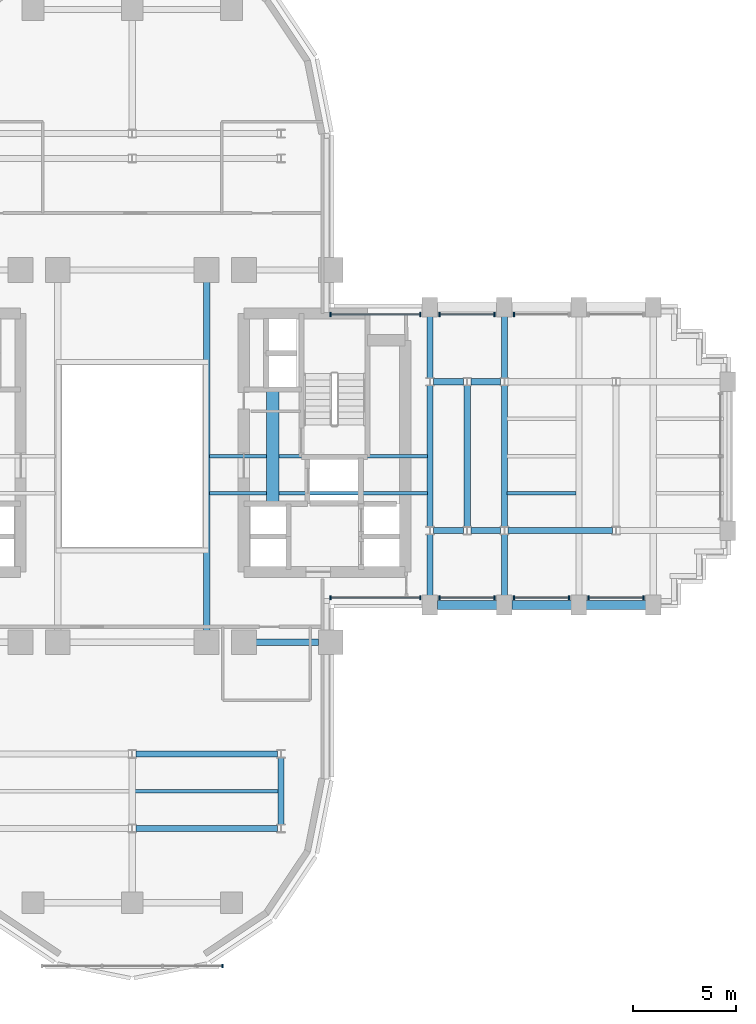
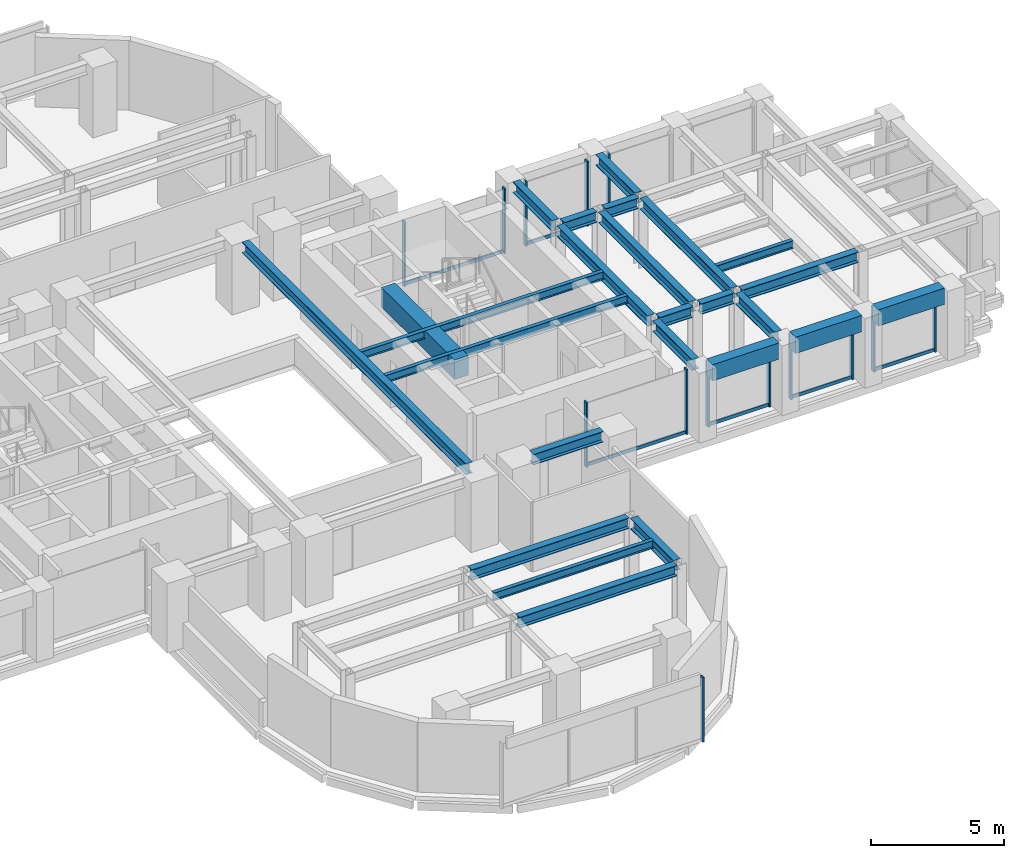
# One storey, part 5 of 16: 25 beams, 20 members, 8 elements without a shape of their own.
"""IFC4 building model written with IfcOpenShell, lengths in metres."""

from ifc_helpers import new_model, si_unit, direction, frame, origin, origin_2d, place, context, subcontext, project, spatial, rectangle, i_section, extrude, source, transform, mapped, material, material_profile, profile_set, type_object, element, aggregate, save


model = new_model("IFC4")

# Units and contexts
model_context = context("Model", 3, precision=1e-05, world=origin(), true_north=direction((0.0, 1.0)))
body_context = subcontext(model_context, "Body", "Model", "MODEL_VIEW")
ifc_project = project(units=[si_unit("LENGTHUNIT", "METRE"), si_unit("AREAUNIT", "SQUARE_METRE"), si_unit("VOLUMEUNIT", "CUBIC_METRE"), si_unit("PLANEANGLEUNIT", "RADIAN"), si_unit("MASSUNIT", "GRAM", prefix="KILO")], contexts=[model_context])

# Site, building, storey
site_placement = place(None, origin())
site = spatial("IfcSite", under=ifc_project, at=site_placement, CompositionType="ELEMENT")
building_placement = place(site_placement, origin())
building = spatial("IfcBuilding", under=site, at=building_placement, Name="Keilestroom Media Tower", CompositionType="ELEMENT")
storey_placement = place(building_placement, frame((0.0, 0.0, 61.199951171875)))
storey = spatial("IfcBuildingStorey", under=building, at=storey_placement, Name="L15", CompositionType="ELEMENT", Elevation=61.199951171875)

# Beams
ifc_material_1 = material(Name="Concrete C70/85", Category="concrete")
ifc_material_profile_1 = material_profile(ifc_material_1, rectangle(XDim=0.60009765625, YDim=0.89990234375, at=origin_2d()), Name="RC 600x900")
ifc_profile_set_1 = profile_set([ifc_material_profile_1], Name="Concrete C70/85")
beam_type_1 = type_object("IfcBeamType", Name="Core-Coupling-Lintel-Beam-RC-600x900", PredefinedType="LINTEL", material=ifc_profile_set_1)
shared_shape_1 = source(origin(), body_context, "Body", "SweptSolid", [
    extrude(rectangle(XDim=0.60009765625, YDim=0.89990234375, at=origin_2d()), origin(), (0.0, 0.0, 1.0), 5.52001953125),
])
beam_1_placement = place(storey_placement, frame((6.800048828125, -2.300048828125, 2.75), z_axis=(0.0, 1.0, 0.0), x_axis=(-1.0, 0.0, 0.0)))
element("IfcBeam", 1, at=beam_1_placement, inside=storey, type_object=beam_type_1, Name="L15 Beam CLB-1 CLB-L15-E", PredefinedType="LINTEL", context=body_context, shape_type="MappedRepresentation", body=[
    mapped(shared_shape_1, transform((0.0, 0.0, 0.0), x_axis=(1.0, 0.0, 0.0), y_axis=(0.0, 1.0, 0.0), z_axis=(0.0, 0.0, 1.0), scale=1.0)),
])
ifc_material_2 = material(Name="Precast concrete C40/50", Category="concrete")
ifc_material_profile_2 = material_profile(ifc_material_2, rectangle(XDim=0.449951171875, YDim=0.75, at=origin_2d()), Name="PC 450x750")
ifc_profile_set_2 = profile_set([ifc_material_profile_2], Name="Precast concrete C40/50")
beam_type_2 = type_object("IfcBeamType", Name="Perimeter-Spandrel-Beam-PC-450x750", PredefinedType="SPANDREL", material=ifc_profile_set_2)
shared_shape_2 = source(origin(), body_context, "Body", "SweptSolid", [
    extrude(rectangle(XDim=0.449951171875, YDim=0.75, at=origin_2d()), origin(), (0.0, 0.0, 1.0), 2.889892578125),
])
beam_2_placement = place(storey_placement, frame((21.955078125, -7.199951171875, 2.824951171875), z_axis=(1.0, 0.0, 0.0), x_axis=(0.0, 1.0, 0.0)))
element("IfcBeam", 2, at=beam_2_placement, inside=storey, type_object=beam_type_2, Name="L15 Beam SPB-1 BM-L15-EW-017", PredefinedType="SPANDREL", context=body_context, shape_type="MappedRepresentation", body=[
    mapped(shared_shape_2, transform((0.0, 0.0, 0.0), x_axis=(1.0, 0.0, 0.0), y_axis=(0.0, 1.0, 0.0), z_axis=(0.0, 0.0, 1.0), scale=1.0)),
])
shared_shape_3 = source(origin(), body_context, "Body", "SweptSolid", [
    extrude(rectangle(XDim=0.449951171875, YDim=0.75, at=origin_2d()), origin(), (0.0, 0.0, 1.0), 2.89013671875),
])
for number, where, z_axis, x_axis, name in (
    (3, (14.7548828125, -7.199951171875, 2.824951171875), (1.0, 0.0, 0.0), (0.0, 1.0, 0.0), "L15 Beam SPB-1 BM-L15-EW-015"),
    (4, (18.35498046875, -7.199951171875, 2.824951171875), (1.0, 0.0, 0.0), (0.0, 1.0, 0.0), "L15 Beam SPB-1 BM-L15-EW-016"),
):
    element("IfcBeam", number, at=place(storey_placement, frame(where, z_axis=z_axis, x_axis=x_axis)), inside=storey, type_object=beam_type_2, Name=name, PredefinedType="SPANDREL", context=body_context, shape_type="MappedRepresentation", body=[
        mapped(shared_shape_3, transform((0.0, 0.0, 0.0), x_axis=(1.0, 0.0, 0.0), y_axis=(0.0, 1.0, 0.0), z_axis=(0.0, 0.0, 1.0), scale=1.0)),
    ])
ifc_material_3 = material(Name="Steel S355", Category="steel")
ifc_material_profile_3 = material_profile(ifc_material_3, i_section(OverallWidth=0.300048828125, OverallDepth=0.5, WebThickness=0.012451171875, FlangeThickness=0.028076171875, at=origin_2d()), Name="HEB 500")
ifc_profile_set_3 = profile_set([ifc_material_profile_3], Name="Steel S355")
beam_type_3 = type_object("IfcBeamType", Name="Primary-Structural-Girder-HEB-500", PredefinedType="BEAM", material=ifc_profile_set_3)
shared_shape_4 = source(origin(), body_context, "Body", "SweptSolid", [
    extrude(i_section(OverallWidth=0.300048828125, OverallDepth=0.5, WebThickness=0.012451171875, FlangeThickness=0.028076171875, at=origin_2d()), origin(), (0.0, 0.0, 1.0), 6.8330078125),
])
for number, where, z_axis, x_axis, name in (
    (5, (14.39990234375, -3.41650390625, 2.949951171875), (0.0, 1.0, 0.0), (-1.0, 0.0, 0.0), "L15 Beam BG-6 BM-L15-NS-077"),
    (6, (16.199951171875, -3.41650390625, 2.949951171875), (0.0, 1.0, 0.0), (-1.0, 0.0, 0.0), "L15 Beam BG-6 BM-L15-NS-079"),
    (7, (18.0, -3.41650390625, 2.949951171875), (0.0, 1.0, 0.0), (-1.0, 0.0, 0.0), "L15 Beam BG-6 BM-L15-NS-081"),
):
    element("IfcBeam", number, at=place(storey_placement, frame(where, z_axis=z_axis, x_axis=x_axis)), inside=storey, type_object=beam_type_3, Name=name, PredefinedType="BEAM", context=body_context, shape_type="MappedRepresentation", body=[
        mapped(shared_shape_4, transform((0.0, 0.0, 0.0), x_axis=(1.0, 0.0, 0.0), y_axis=(0.0, 1.0, 0.0), z_axis=(0.0, 0.0, 1.0), scale=1.0)),
    ])
shared_shape_5 = source(origin(), body_context, "Body", "SweptSolid", [
    extrude(i_section(OverallWidth=0.300048828125, OverallDepth=0.5, WebThickness=0.012451171875, FlangeThickness=0.028076171875, at=origin_2d()), origin(), (0.0, 0.0, 1.0), 2.961669921875),
])
for number, where, z_axis, x_axis, name in (
    (8, (14.39990234375, -6.7451171875, 2.949951171875), (0.0, 1.0, 0.0), (-1.0, 0.0, 0.0), "L15 Beam BG-6 BM-L15-NS-076"),
    (9, (14.39990234375, 3.783447265625, 2.949951171875), (0.0, 1.0, 0.0), (-1.0, 0.0, 0.0), "L15 Beam BG-6 BM-L15-NS-078"),
    (10, (18.0, -6.7451171875, 2.949951171875), (0.0, 1.0, 0.0), (-1.0, 0.0, 0.0), "L15 Beam BG-6 BM-L15-NS-080"),
    (11, (18.0, 3.783447265625, 2.949951171875), (0.0, 1.0, 0.0), (-1.0, 0.0, 0.0), "L15 Beam BG-6 BM-L15-NS-082"),
):
    element("IfcBeam", number, at=place(storey_placement, frame(where, z_axis=z_axis, x_axis=x_axis)), inside=storey, type_object=beam_type_3, Name=name, PredefinedType="BEAM", context=body_context, shape_type="MappedRepresentation", body=[
        mapped(shared_shape_5, transform((0.0, 0.0, 0.0), x_axis=(1.0, 0.0, 0.0), y_axis=(0.0, 1.0, 0.0), z_axis=(0.0, 0.0, 1.0), scale=1.0)),
    ])
shared_shape_6 = source(origin(), body_context, "Body", "SweptSolid", [
    extrude(i_section(OverallWidth=0.300048828125, OverallDepth=0.5, WebThickness=0.012451171875, FlangeThickness=0.028076171875, at=origin_2d()), origin(), (0.0, 0.0, 1.0), 3.23291015625),
])
beam_3_placement = place(storey_placement, frame((7.199951171875, -17.81640625, 2.949951171875), z_axis=(0.0, 1.0, 0.0), x_axis=(-1.0, 0.0, 0.0)))
element("IfcBeam", 12, at=beam_3_placement, inside=storey, type_object=beam_type_3, Name="L15 Beam BG-6 BM-L15-NS-073", PredefinedType="BEAM", context=body_context, shape_type="MappedRepresentation", body=[
    mapped(shared_shape_6, transform((0.0, 0.0, 0.0), x_axis=(1.0, 0.0, 0.0), y_axis=(0.0, 1.0, 0.0), z_axis=(0.0, 0.0, 1.0), scale=1.0)),
])
shared_shape_7 = source(origin(), body_context, "Body", "SweptSolid", [
    extrude(i_section(OverallWidth=0.300048828125, OverallDepth=0.5, WebThickness=0.012451171875, FlangeThickness=0.028076171875, at=origin_2d()), origin(), (0.0, 0.0, 1.0), 16.83984375),
])
beam_4_placement = place(storey_placement, frame((3.60009765625, -8.419921875, 2.949951171875), z_axis=(0.0, 1.0, 0.0), x_axis=(-1.0, 0.0, 0.0)))
element("IfcBeam", 13, at=beam_4_placement, inside=storey, type_object=beam_type_3, Name="L15 Beam BG-6 BM-L15-NS-071", PredefinedType="BEAM", context=body_context, shape_type="MappedRepresentation", body=[
    mapped(shared_shape_7, transform((0.0, 0.0, 0.0), x_axis=(1.0, 0.0, 0.0), y_axis=(0.0, 1.0, 0.0), z_axis=(0.0, 0.0, 1.0), scale=1.0)),
])
ifc_material_profile_4 = material_profile(ifc_material_3, i_section(OverallWidth=0.300048828125, OverallDepth=0.489990234375, WebThickness=0.011962890625, FlangeThickness=0.02294921875, at=origin_2d()), Name="HEA 500")
ifc_profile_set_4 = profile_set([ifc_material_profile_4], Name="Steel S355")
beam_type_4 = type_object("IfcBeamType", Name="Primary-Structural-Girder-HEA-500", PredefinedType="BEAM", material=ifc_profile_set_4)
shared_shape_8 = source(origin(), body_context, "Body", "SweptSolid", [
    extrude(i_section(OverallWidth=0.300048828125, OverallDepth=0.489990234375, WebThickness=0.011962890625, FlangeThickness=0.02294921875, at=origin_2d()), origin(), (0.0, 0.0, 1.0), 6.836181640625),
])
for number, where, z_axis, x_axis, name in (
    (14, (0.181884765625, -18.0, 2.955078125), (1.0, 0.0, 0.0), (0.0, 1.0, 0.0), "L15 Beam BG-10 BM-L15-EW-004"),
    (15, (0.181884765625, -14.39990234375, 2.955078125), (1.0, 0.0, 0.0), (0.0, 1.0, 0.0), "L15 Beam BG-10 BM-L15-EW-006"),
):
    element("IfcBeam", number, at=place(storey_placement, frame(where, z_axis=z_axis, x_axis=x_axis)), inside=storey, type_object=beam_type_4, Name=name, PredefinedType="BEAM", context=body_context, shape_type="MappedRepresentation", body=[
        mapped(shared_shape_8, transform((0.0, 0.0, 0.0), x_axis=(1.0, 0.0, 0.0), y_axis=(0.0, 1.0, 0.0), z_axis=(0.0, 0.0, 1.0), scale=1.0)),
    ])
shared_shape_9 = source(origin(), body_context, "Body", "SweptSolid", [
    extrude(i_section(OverallWidth=0.300048828125, OverallDepth=0.489990234375, WebThickness=0.011962890625, FlangeThickness=0.02294921875, at=origin_2d()), origin(), (0.0, 0.0, 1.0), 3.0400390625),
])
beam_5_placement = place(storey_placement, frame((5.97998046875, -9.0, 2.955078125), z_axis=(1.0, 0.0, 0.0), x_axis=(0.0, 1.0, 0.0)))
element("IfcBeam", 16, at=beam_5_placement, inside=storey, type_object=beam_type_4, Name="L15 Beam BG-10 BM-L15-EW-011", PredefinedType="BEAM", context=body_context, shape_type="MappedRepresentation", body=[
    mapped(shared_shape_9, transform((0.0, 0.0, 0.0), x_axis=(1.0, 0.0, 0.0), y_axis=(0.0, 1.0, 0.0), z_axis=(0.0, 0.0, 1.0), scale=1.0)),
])
shared_shape_10 = source(origin(), body_context, "Body", "SweptSolid", [
    extrude(i_section(OverallWidth=0.300048828125, OverallDepth=0.489990234375, WebThickness=0.011962890625, FlangeThickness=0.02294921875, at=origin_2d()), origin(), (0.0, 0.0, 1.0), 5.0361328125),
])
beam_6_placement = place(storey_placement, frame((18.181884765625, -3.60009765625, 2.955078125), z_axis=(1.0, 0.0, 0.0), x_axis=(0.0, 1.0, 0.0)))
element("IfcBeam", 17, at=beam_6_placement, inside=storey, type_object=beam_type_4, Name="L15 Beam BG-10 BM-L15-EW-024", PredefinedType="BEAM", context=body_context, shape_type="MappedRepresentation", body=[
    mapped(shared_shape_10, transform((0.0, 0.0, 0.0), x_axis=(1.0, 0.0, 0.0), y_axis=(0.0, 1.0, 0.0), z_axis=(0.0, 0.0, 1.0), scale=1.0)),
])
shared_shape_11 = source(origin(), body_context, "Body", "SweptSolid", [
    extrude(i_section(OverallWidth=0.300048828125, OverallDepth=0.489990234375, WebThickness=0.011962890625, FlangeThickness=0.02294921875, at=origin_2d()), origin(), (0.0, 0.0, 1.0), 1.43603515625),
])
for number, where, z_axis, x_axis, name in (
    (18, (14.58203125, -3.60009765625, 2.955078125), (1.0, 0.0, 0.0), (0.0, 1.0, 0.0), "L15 Beam BG-10 BM-L15-EW-022"),
    (19, (16.382080078125, -3.60009765625, 2.955078125), (1.0, 0.0, 0.0), (0.0, 1.0, 0.0), "L15 Beam BG-10 BM-L15-EW-023"),
    (20, (14.58203125, 3.60009765625, 2.955078125), (1.0, 0.0, 0.0), (0.0, 1.0, 0.0), "L15 Beam BG-10 BM-L15-EW-030"),
    (21, (16.382080078125, 3.60009765625, 2.955078125), (1.0, 0.0, 0.0), (0.0, 1.0, 0.0), "L15 Beam BG-10 BM-L15-EW-031"),
):
    element("IfcBeam", number, at=place(storey_placement, frame(where, z_axis=z_axis, x_axis=x_axis)), inside=storey, type_object=beam_type_4, Name=name, PredefinedType="BEAM", context=body_context, shape_type="MappedRepresentation", body=[
        mapped(shared_shape_11, transform((0.0, 0.0, 0.0), x_axis=(1.0, 0.0, 0.0), y_axis=(0.0, 1.0, 0.0), z_axis=(0.0, 0.0, 1.0), scale=1.0)),
    ])
ifc_material_profile_5 = material_profile(ifc_material_3, i_section(OverallWidth=0.169921875, OverallDepth=0.360107421875, WebThickness=0.008056640625, FlangeThickness=0.0126953125, at=origin_2d()), Name="IPE 360")
ifc_profile_set_5 = profile_set([ifc_material_profile_5], Name="Steel S355")
beam_type_5 = type_object("IfcBeamType", Name="Secondary-Floor-Joist-IPE-360", PredefinedType="JOIST", material=ifc_profile_set_5)
shared_shape_12 = source(origin(), body_context, "Body", "SweptSolid", [
    extrude(i_section(OverallWidth=0.169921875, OverallDepth=0.360107421875, WebThickness=0.008056640625, FlangeThickness=0.0126953125, at=origin_2d()), origin(), (0.0, 0.0, 1.0), 6.940185546875),
])
beam_7_placement = place(storey_placement, frame((0.1298828125, -16.199951171875, 3.02001953125), z_axis=(1.0, 0.0, 0.0), x_axis=(0.0, 1.0, 0.0)))
element("IfcBeam", 22, at=beam_7_placement, inside=storey, type_object=beam_type_5, Name="L15 Beam BJ-5 JST-L15-088", PredefinedType="JOIST", context=body_context, shape_type="MappedRepresentation", body=[
    mapped(shared_shape_12, transform((0.0, 0.0, 0.0), x_axis=(1.0, 0.0, 0.0), y_axis=(0.0, 1.0, 0.0), z_axis=(0.0, 0.0, 1.0), scale=1.0)),
])
shared_shape_13 = source(origin(), body_context, "Body", "SweptSolid", [
    extrude(i_section(OverallWidth=0.169921875, OverallDepth=0.360107421875, WebThickness=0.008056640625, FlangeThickness=0.0126953125, at=origin_2d()), origin(), (0.0, 0.0, 1.0), 3.340087890625),
])
beam_8_placement = place(storey_placement, frame((18.1298828125, -1.800048828125, 3.02001953125), z_axis=(1.0, 0.0, 0.0), x_axis=(0.0, 1.0, 0.0)))
element("IfcBeam", 23, at=beam_8_placement, inside=storey, type_object=beam_type_5, Name="L15 Beam BJ-5 JST-L15-094", PredefinedType="JOIST", context=body_context, shape_type="MappedRepresentation", body=[
    mapped(shared_shape_13, transform((0.0, 0.0, 0.0), x_axis=(1.0, 0.0, 0.0), y_axis=(0.0, 1.0, 0.0), z_axis=(0.0, 0.0, 1.0), scale=1.0)),
])
shared_shape_14 = source(origin(), body_context, "Body", "SweptSolid", [
    extrude(i_section(OverallWidth=0.169921875, OverallDepth=0.360107421875, WebThickness=0.008056640625, FlangeThickness=0.0126953125, at=origin_2d()), origin(), (0.0, 0.0, 1.0), 10.5400390625),
])
for number, where, z_axis, x_axis, name in (
    (24, (3.72998046875, -1.800048828125, 3.02001953125), (1.0, 0.0, 0.0), (0.0, 1.0, 0.0), "L15 Beam BJ-5 JST-L15-093"),
    (25, (3.72998046875, 0.0, 3.02001953125), (1.0, 0.0, 0.0), (0.0, 1.0, 0.0), "L15 Beam BJ-5 JST-L15-100"),
):
    element("IfcBeam", number, at=place(storey_placement, frame(where, z_axis=z_axis, x_axis=x_axis)), inside=storey, type_object=beam_type_5, Name=name, PredefinedType="JOIST", context=body_context, shape_type="MappedRepresentation", body=[
        mapped(shared_shape_14, transform((0.0, 0.0, 0.0), x_axis=(1.0, 0.0, 0.0), y_axis=(0.0, 1.0, 0.0), z_axis=(0.0, 0.0, 1.0), scale=1.0)),
    ])

# Curtain wall, members
ifc_material_4 = material(Name="Anodised Aluminium Alloy", Category="aluminium")
curtain_wall_type_1 = type_object("IfcCurtainWallType", Name="Unitised-Curtain-Wall-CW-1", PredefinedType="NOTDEFINED", material=ifc_material_4)
curtain_wall_1_placement = place(storey_placement, origin())
curtain_wall_1 = element("IfcCurtainWall", 26, at=curtain_wall_1_placement, inside=storey, type_object=curtain_wall_type_1, Name="L15 Curtain Wall CW-1 CW-L15-NE-1", PredefinedType="NOTDEFINED")
ifc_material_profile_6 = material_profile(ifc_material_4, rectangle(XDim=0.070068359375, YDim=0.199951171875, at=origin_2d()), Name="ALU MULLION 70x200")
ifc_profile_set_6 = profile_set([ifc_material_profile_6], Name="Anodised Aluminium Alloy")
member_type_1 = type_object("IfcMemberType", Name="Curtain-Wall-Mullion-CW-1", PredefinedType="MULLION", material=ifc_profile_set_6)
shared_shape_15 = source(origin(), body_context, "Body", "SweptSolid", [
    extrude(rectangle(XDim=0.070068359375, YDim=0.199951171875, at=origin_2d()), origin(), (0.0, 0.0, 1.0), 2.97998046875),
])
member_1_placement = place(storey_placement, frame((9.5849609375, 6.85009765625, 0.0), z_axis=(0.0, 0.0, 1.0), x_axis=(1.0, 0.0, 0.0)))
member_1 = element("IfcMember", 27, at=member_1_placement, type_object=member_type_1, Name="CW-1 Mullion 00", PredefinedType="MULLION", context=body_context, shape_type="MappedRepresentation", body=[
    mapped(shared_shape_15, transform((0.0, 0.0, 0.0), x_axis=(1.0, 0.0, 0.0), y_axis=(0.0, 1.0, 0.0), z_axis=(0.0, 0.0, 1.0), scale=1.0)),
])
member_2_placement = place(storey_placement, frame((13.929931640625, 6.85009765625, 0.0), z_axis=(0.0, 0.0, 1.0), x_axis=(1.0, 0.0, 0.0)))
member_2 = element("IfcMember", 28, at=member_2_placement, type_object=member_type_1, Name="CW-1 Mullion 01", PredefinedType="MULLION", context=body_context, shape_type="MappedRepresentation", body=[
    mapped(shared_shape_15, transform((0.0, 0.0, 0.0), x_axis=(1.0, 0.0, 0.0), y_axis=(0.0, 1.0, 0.0), z_axis=(0.0, 0.0, 1.0), scale=1.0)),
])

curtain_wall_2_placement = place(storey_placement, origin())
curtain_wall_2 = element("IfcCurtainWall", 29, at=curtain_wall_2_placement, inside=storey, type_object=curtain_wall_type_1, Name="L15 Curtain Wall CW-1 CW-L15-NE-2", PredefinedType="NOTDEFINED")
member_3_placement = place(storey_placement, frame((14.8701171875, 6.85009765625, 0.0), z_axis=(0.0, 0.0, 1.0), x_axis=(1.0, 0.0, 0.0)))
member_3 = element("IfcMember", 30, at=member_3_placement, type_object=member_type_1, Name="CW-1 Mullion 00", PredefinedType="MULLION", context=body_context, shape_type="MappedRepresentation", body=[
    mapped(shared_shape_15, transform((0.0, 0.0, 0.0), x_axis=(1.0, 0.0, 0.0), y_axis=(0.0, 1.0, 0.0), z_axis=(0.0, 0.0, 1.0), scale=1.0)),
])
member_4_placement = place(storey_placement, frame((17.530029296875, 6.85009765625, 0.0), z_axis=(0.0, 0.0, 1.0), x_axis=(1.0, 0.0, 0.0)))
member_4 = element("IfcMember", 31, at=member_4_placement, type_object=member_type_1, Name="CW-1 Mullion 01", PredefinedType="MULLION", context=body_context, shape_type="MappedRepresentation", body=[
    mapped(shared_shape_15, transform((0.0, 0.0, 0.0), x_axis=(1.0, 0.0, 0.0), y_axis=(0.0, 1.0, 0.0), z_axis=(0.0, 0.0, 1.0), scale=1.0)),
])

# Curtain wall, member
curtain_wall_3_placement = place(storey_placement, origin())
curtain_wall_3 = element("IfcCurtainWall", 32, at=curtain_wall_3_placement, inside=storey, type_object=curtain_wall_type_1, Name="L15 Curtain Wall CW-1 CW-L15-NE-3", PredefinedType="NOTDEFINED")
member_5_placement = place(storey_placement, frame((18.469970703125, 6.85009765625, 0.0), z_axis=(0.0, 0.0, 1.0), x_axis=(1.0, 0.0, 0.0)))
member_5 = element("IfcMember", 33, at=member_5_placement, type_object=member_type_1, Name="CW-1 Mullion 00", PredefinedType="MULLION", context=body_context, shape_type="MappedRepresentation", body=[
    mapped(shared_shape_15, transform((0.0, 0.0, 0.0), x_axis=(1.0, 0.0, 0.0), y_axis=(0.0, 1.0, 0.0), z_axis=(0.0, 0.0, 1.0), scale=1.0)),
])
aggregate(curtain_wall_3, [member_5])

# Curtain wall, members
curtain_wall_4_placement = place(storey_placement, origin())
curtain_wall_4 = element("IfcCurtainWall", 34, at=curtain_wall_4_placement, inside=storey, type_object=curtain_wall_type_1, Name="L15 Curtain Wall CW-1 CW-L15-SE-1", PredefinedType="NOTDEFINED")
member_6_placement = place(storey_placement, frame((9.5849609375, -6.85009765625, 0.0), z_axis=(0.0, 0.0, 1.0), x_axis=(1.0, 0.0, 0.0)))
member_6 = element("IfcMember", 35, at=member_6_placement, type_object=member_type_1, Name="CW-1 Mullion 00", PredefinedType="MULLION", context=body_context, shape_type="MappedRepresentation", body=[
    mapped(shared_shape_15, transform((0.0, 0.0, 0.0), x_axis=(1.0, 0.0, 0.0), y_axis=(0.0, 1.0, 0.0), z_axis=(0.0, 0.0, 1.0), scale=1.0)),
])
member_7_placement = place(storey_placement, frame((13.929931640625, -6.85009765625, 0.0), z_axis=(0.0, 0.0, 1.0), x_axis=(1.0, 0.0, 0.0)))
member_7 = element("IfcMember", 36, at=member_7_placement, type_object=member_type_1, Name="CW-1 Mullion 01", PredefinedType="MULLION", context=body_context, shape_type="MappedRepresentation", body=[
    mapped(shared_shape_15, transform((0.0, 0.0, 0.0), x_axis=(1.0, 0.0, 0.0), y_axis=(0.0, 1.0, 0.0), z_axis=(0.0, 0.0, 1.0), scale=1.0)),
])

curtain_wall_5_placement = place(storey_placement, origin())
curtain_wall_5 = element("IfcCurtainWall", 37, at=curtain_wall_5_placement, inside=storey, type_object=curtain_wall_type_1, Name="L15 Curtain Wall CW-1 CW-L15-SE-2", PredefinedType="NOTDEFINED")
member_8_placement = place(storey_placement, frame((14.8701171875, -6.85009765625, 0.0), z_axis=(0.0, 0.0, 1.0), x_axis=(1.0, 0.0, 0.0)))
member_8 = element("IfcMember", 38, at=member_8_placement, type_object=member_type_1, Name="CW-1 Mullion 00", PredefinedType="MULLION", context=body_context, shape_type="MappedRepresentation", body=[
    mapped(shared_shape_15, transform((0.0, 0.0, 0.0), x_axis=(1.0, 0.0, 0.0), y_axis=(0.0, 1.0, 0.0), z_axis=(0.0, 0.0, 1.0), scale=1.0)),
])
member_9_placement = place(storey_placement, frame((17.530029296875, -6.85009765625, 0.0), z_axis=(0.0, 0.0, 1.0), x_axis=(1.0, 0.0, 0.0)))
member_9 = element("IfcMember", 39, at=member_9_placement, type_object=member_type_1, Name="CW-1 Mullion 01", PredefinedType="MULLION", context=body_context, shape_type="MappedRepresentation", body=[
    mapped(shared_shape_15, transform((0.0, 0.0, 0.0), x_axis=(1.0, 0.0, 0.0), y_axis=(0.0, 1.0, 0.0), z_axis=(0.0, 0.0, 1.0), scale=1.0)),
])

curtain_wall_6_placement = place(storey_placement, origin())
curtain_wall_6 = element("IfcCurtainWall", 40, at=curtain_wall_6_placement, inside=storey, type_object=curtain_wall_type_1, Name="L15 Curtain Wall CW-1 CW-L15-SE-3", PredefinedType="NOTDEFINED")
member_10_placement = place(storey_placement, frame((18.469970703125, -6.85009765625, 0.0), z_axis=(0.0, 0.0, 1.0), x_axis=(1.0, 0.0, 0.0)))
member_10 = element("IfcMember", 41, at=member_10_placement, type_object=member_type_1, Name="CW-1 Mullion 00", PredefinedType="MULLION", context=body_context, shape_type="MappedRepresentation", body=[
    mapped(shared_shape_15, transform((0.0, 0.0, 0.0), x_axis=(1.0, 0.0, 0.0), y_axis=(0.0, 1.0, 0.0), z_axis=(0.0, 0.0, 1.0), scale=1.0)),
])
member_11_placement = place(storey_placement, frame((21.1298828125, -6.85009765625, 0.0), z_axis=(0.0, 0.0, 1.0), x_axis=(1.0, 0.0, 0.0)))
member_11 = element("IfcMember", 42, at=member_11_placement, type_object=member_type_1, Name="CW-1 Mullion 01", PredefinedType="MULLION", context=body_context, shape_type="MappedRepresentation", body=[
    mapped(shared_shape_15, transform((0.0, 0.0, 0.0), x_axis=(1.0, 0.0, 0.0), y_axis=(0.0, 1.0, 0.0), z_axis=(0.0, 0.0, 1.0), scale=1.0)),
])

curtain_wall_7_placement = place(storey_placement, origin())
curtain_wall_7 = element("IfcCurtainWall", 43, at=curtain_wall_7_placement, inside=storey, type_object=curtain_wall_type_1, Name="L15 Curtain Wall CW-1 CW-L15-SE-4", PredefinedType="NOTDEFINED")
member_12_placement = place(storey_placement, frame((22.070068359375, -6.85009765625, 0.0), z_axis=(0.0, 0.0, 1.0), x_axis=(1.0, 0.0, 0.0)))
member_12 = element("IfcMember", 44, at=member_12_placement, type_object=member_type_1, Name="CW-1 Mullion 00", PredefinedType="MULLION", context=body_context, shape_type="MappedRepresentation", body=[
    mapped(shared_shape_15, transform((0.0, 0.0, 0.0), x_axis=(1.0, 0.0, 0.0), y_axis=(0.0, 1.0, 0.0), z_axis=(0.0, 0.0, 1.0), scale=1.0)),
])
member_13_placement = place(storey_placement, frame((24.72998046875, -6.85009765625, 0.0), z_axis=(0.0, 0.0, 1.0), x_axis=(1.0, 0.0, 0.0)))
member_13 = element("IfcMember", 45, at=member_13_placement, type_object=member_type_1, Name="CW-1 Mullion 01", PredefinedType="MULLION", context=body_context, shape_type="MappedRepresentation", body=[
    mapped(shared_shape_15, transform((0.0, 0.0, 0.0), x_axis=(1.0, 0.0, 0.0), y_axis=(0.0, 1.0, 0.0), z_axis=(0.0, 0.0, 1.0), scale=1.0)),
])

# Member
ifc_material_profile_7 = material_profile(ifc_material_4, rectangle(XDim=0.06494140625, YDim=0.14990234375, at=origin_2d()), Name="ALU TRANSOM 65x150")
ifc_profile_set_7 = profile_set([ifc_material_profile_7], Name="Anodised Aluminium Alloy")
member_type_2 = type_object("IfcMemberType", Name="Curtain-Wall-Transom-CW-1", PredefinedType="USERDEFINED", material=ifc_profile_set_7)
shared_shape_16 = source(origin(), body_context, "Body", "SweptSolid", [
    extrude(rectangle(XDim=0.06494140625, YDim=0.14990234375, at=origin_2d()), origin(), (0.0, 0.0, 1.0), 2.593994140625),
])
member_14_placement = place(storey_placement, frame((14.903076171875, 6.85009765625, 0.074951171875), z_axis=(1.0, 0.0, 0.0), x_axis=(0.0, 1.0, 0.0)))
member_14 = element("IfcMember", 46, at=member_14_placement, type_object=member_type_2, Name="CW-1 Transom 00.1", ObjectType="TRANSOM", PredefinedType="USERDEFINED", context=body_context, shape_type="MappedRepresentation", body=[
    mapped(shared_shape_16, transform((0.0, 0.0, 0.0), x_axis=(1.0, 0.0, 0.0), y_axis=(0.0, 1.0, 0.0), z_axis=(0.0, 0.0, 1.0), scale=1.0)),
])

aggregate(curtain_wall_2, [member_3, member_4, member_14])

member_15_placement = place(storey_placement, frame((14.903076171875, -6.85009765625, 0.074951171875), z_axis=(1.0, 0.0, 0.0), x_axis=(0.0, 1.0, 0.0)))
member_15 = element("IfcMember", 47, at=member_15_placement, type_object=member_type_2, Name="CW-1 Transom 00.1", ObjectType="TRANSOM", PredefinedType="USERDEFINED", context=body_context, shape_type="MappedRepresentation", body=[
    mapped(shared_shape_16, transform((0.0, 0.0, 0.0), x_axis=(1.0, 0.0, 0.0), y_axis=(0.0, 1.0, 0.0), z_axis=(0.0, 0.0, 1.0), scale=1.0)),
])

aggregate(curtain_wall_5, [member_8, member_9, member_15])

member_16_placement = place(storey_placement, frame((18.5029296875, -6.85009765625, 0.074951171875), z_axis=(1.0, 0.0, 0.0), x_axis=(0.0, 1.0, 0.0)))
member_16 = element("IfcMember", 48, at=member_16_placement, type_object=member_type_2, Name="CW-1 Transom 00.1", ObjectType="TRANSOM", PredefinedType="USERDEFINED", context=body_context, shape_type="MappedRepresentation", body=[
    mapped(shared_shape_16, transform((0.0, 0.0, 0.0), x_axis=(1.0, 0.0, 0.0), y_axis=(0.0, 1.0, 0.0), z_axis=(0.0, 0.0, 1.0), scale=1.0)),
])

aggregate(curtain_wall_6, [member_10, member_11, member_16])

member_17_placement = place(storey_placement, frame((22.10302734375, -6.85009765625, 0.074951171875), z_axis=(1.0, 0.0, 0.0), x_axis=(0.0, 1.0, 0.0)))
member_17 = element("IfcMember", 49, at=member_17_placement, type_object=member_type_2, Name="CW-1 Transom 00.1", ObjectType="TRANSOM", PredefinedType="USERDEFINED", context=body_context, shape_type="MappedRepresentation", body=[
    mapped(shared_shape_16, transform((0.0, 0.0, 0.0), x_axis=(1.0, 0.0, 0.0), y_axis=(0.0, 1.0, 0.0), z_axis=(0.0, 0.0, 1.0), scale=1.0)),
])

aggregate(curtain_wall_7, [member_12, member_13, member_17])

shared_shape_17 = source(origin(), body_context, "Body", "SweptSolid", [
    extrude(rectangle(XDim=0.06494140625, YDim=0.14990234375, at=origin_2d()), origin(), (0.0, 0.0, 1.0), 4.279052734375),
])
member_18_placement = place(storey_placement, frame((9.617919921875, 6.85009765625, 0.074951171875), z_axis=(1.0, 0.0, 0.0), x_axis=(0.0, 1.0, 0.0)))
member_18 = element("IfcMember", 50, at=member_18_placement, type_object=member_type_2, Name="CW-1 Transom 00.1", ObjectType="TRANSOM", PredefinedType="USERDEFINED", context=body_context, shape_type="MappedRepresentation", body=[
    mapped(shared_shape_17, transform((0.0, 0.0, 0.0), x_axis=(1.0, 0.0, 0.0), y_axis=(0.0, 1.0, 0.0), z_axis=(0.0, 0.0, 1.0), scale=1.0)),
])

aggregate(curtain_wall_1, [member_1, member_2, member_18])

member_19_placement = place(storey_placement, frame((9.617919921875, -6.85009765625, 0.074951171875), z_axis=(1.0, 0.0, 0.0), x_axis=(0.0, 1.0, 0.0)))
member_19 = element("IfcMember", 51, at=member_19_placement, type_object=member_type_2, Name="CW-1 Transom 00.1", ObjectType="TRANSOM", PredefinedType="USERDEFINED", context=body_context, shape_type="MappedRepresentation", body=[
    mapped(shared_shape_17, transform((0.0, 0.0, 0.0), x_axis=(1.0, 0.0, 0.0), y_axis=(0.0, 1.0, 0.0), z_axis=(0.0, 0.0, 1.0), scale=1.0)),
])

aggregate(curtain_wall_4, [member_6, member_7, member_19])

# Curtain wall, member
curtain_wall_type_2 = type_object("IfcCurtainWallType", Name="Unitised-Curtain-Wall-CW-6", PredefinedType="NOTDEFINED", material=ifc_material_4)
curtain_wall_8_placement = place(storey_placement, origin())
curtain_wall_8 = element("IfcCurtainWall", 52, at=curtain_wall_8_placement, inside=storey, type_object=curtain_wall_type_2, Name="L15 Curtain Wall CW-6 CW-L15-LS-1", PredefinedType="NOTDEFINED")
ifc_material_profile_8 = material_profile(ifc_material_4, rectangle(XDim=0.06494140625, YDim=0.179931640625, at=origin_2d()), Name="ALU MULLION 65x180")
ifc_profile_set_8 = profile_set([ifc_material_profile_8], Name="Anodised Aluminium Alloy")
member_type_3 = type_object("IfcMemberType", Name="Curtain-Wall-Mullion-CW-6", PredefinedType="MULLION", material=ifc_profile_set_8)
shared_shape_18 = source(origin(), body_context, "Body", "SweptSolid", [
    extrude(rectangle(XDim=0.06494140625, YDim=0.179931640625, at=origin_2d()), origin(), (0.0, 0.0, 1.0), 2.97998046875),
])
member_20_placement = place(storey_placement, frame((4.367431640625, -24.64990234375, 0.0), z_axis=(0.0, 0.0, 1.0), x_axis=(1.0, 0.0, 0.0)))
member_20 = element("IfcMember", 53, at=member_20_placement, type_object=member_type_3, Name="CW-6 Mullion 03", PredefinedType="MULLION", context=body_context, shape_type="MappedRepresentation", body=[
    mapped(shared_shape_18, transform((0.0, 0.0, 0.0), x_axis=(1.0, 0.0, 0.0), y_axis=(0.0, 1.0, 0.0), z_axis=(0.0, 0.0, 1.0), scale=1.0)),
])
aggregate(curtain_wall_8, [member_20])

save(model, "model.ifc")
